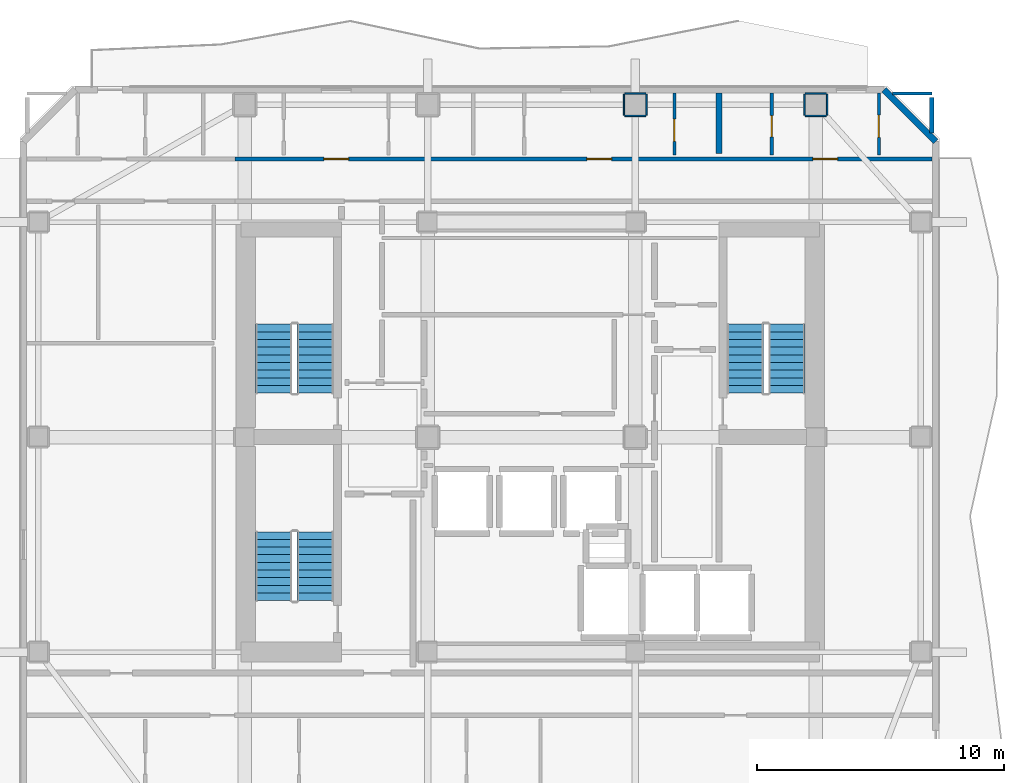
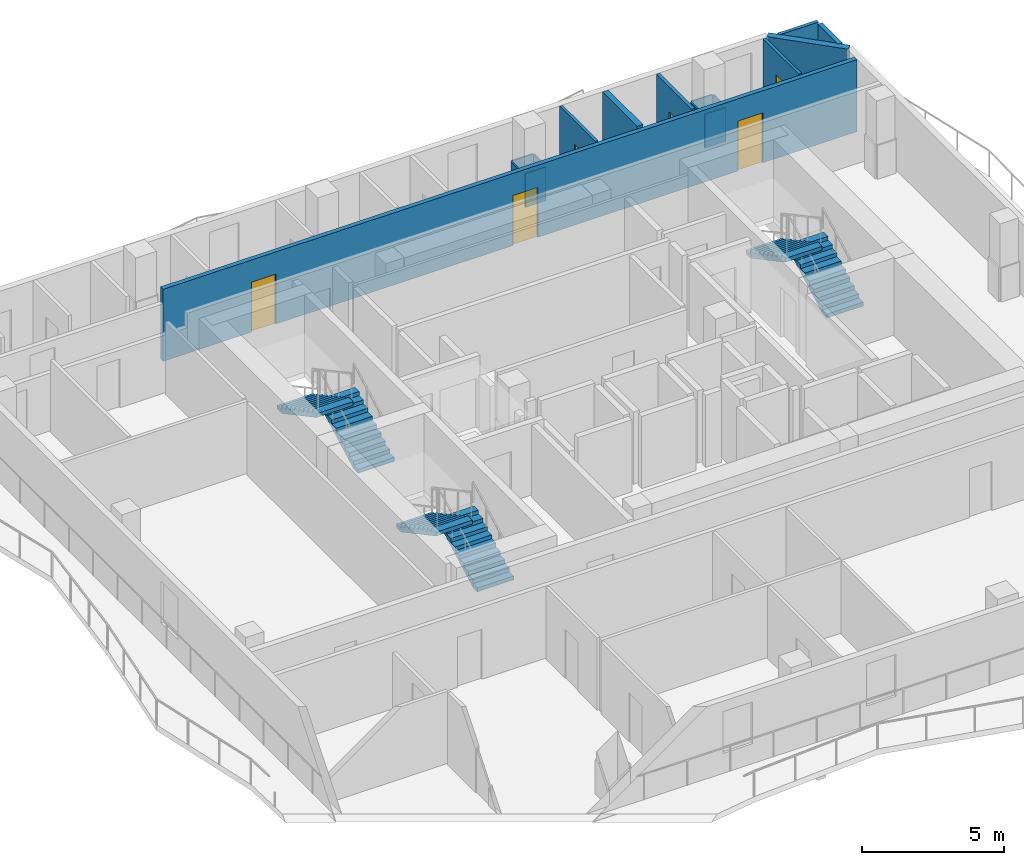
# One storey, part 6 of 10: 16 walls, 6 doors, 6 stair flights, 6 openings, 3 elements without a shape of their own.
"""IFC4 building model written with IfcOpenShell, lengths in metres."""

from ifc_helpers import new_model, si_unit, direction, frame, frame_2d, origin, place, context, subcontext, project, spatial, polyline, rectangle, outline, extrude, material, layer, layer_set, type_object, element, fill, aggregate, save


model = new_model("IFC4")

# Units and contexts
model_context = context("Model", 3, precision=1e-05, world=origin(), true_north=direction((0.0, 1.0)))
body_context = subcontext(model_context, "Body", "Model", "MODEL_VIEW")
ifc_project = project(units=[si_unit("LENGTHUNIT", "METRE"), si_unit("AREAUNIT", "SQUARE_METRE"), si_unit("VOLUMEUNIT", "CUBIC_METRE"), si_unit("PLANEANGLEUNIT", "RADIAN"), si_unit("MASSUNIT", "GRAM", prefix="KILO")], contexts=[model_context])

# Site, building, storey
site_placement = place(None, origin())
site = spatial("IfcSite", under=ifc_project, at=site_placement, CompositionType="ELEMENT")
building_placement = place(site_placement, origin())
building = spatial("IfcBuilding", under=site, at=building_placement, Name="Solanera Arch Residences", CompositionType="ELEMENT")
storey_placement = place(building_placement, frame((0.0, 0.0, 203.43994140625)))
storey = spatial("IfcBuildingStorey", under=building, at=storey_placement, Name="L59", CompositionType="ELEMENT", Elevation=203.43994140625)

# Walls
ifc_material_1 = material(Name="Fire-Rated Gypsum Stud Partition", Category="gypsum")
ifc_layer_1 = layer(ifc_material_1, 0.06005859375)
ifc_layer_set_1 = layer_set([ifc_layer_1], Name="Fire-Rated Gypsum Stud Partition")
wall_type_1 = type_object("IfcWallType", Name="Column Acoustic Furring Wall 60", PredefinedType="PARTITIONING", material=ifc_layer_set_1)
for number, where, z_axis, x_axis, name in (
    (1, (28.77490234375, 43.693115234375, 0.0), (0.0, 0.0, 1.0), (1.0, 0.0, 0.0), "L59 Column Furring 14S"),
    (2, (28.77490234375, 44.60693359375, 0.0), (0.0, 0.0, 1.0), (1.0, 0.0, 0.0), "L59 Column Furring 14N"),
):
    element("IfcWall", number, at=place(storey_placement, frame(where, z_axis=z_axis, x_axis=x_axis)), inside=storey, type_object=wall_type_1, Name=name, PredefinedType="PARTITIONING", context=body_context, shape_type="SweptSolid", body=[
        extrude(rectangle(XDim=0.85009765625, YDim=0.06005859375, at=frame_2d((0.425048828125, 0.0))), origin(), (0.0, 0.0, 1.0), 1.449951171875),
    ])
for number, where, z_axis, x_axis, name in (
    (3, (28.742919921875, 43.72509765625, 0.0), (0.0, 0.0, 1.0), (0.0, 1.0, 0.0), "L59 Column Furring 14W"),
    (4, (29.656982421875, 43.72509765625, 0.0), (0.0, 0.0, 1.0), (0.0, 1.0, 0.0), "L59 Column Furring 14E"),
):
    element("IfcWall", number, at=place(storey_placement, frame(where, z_axis=z_axis, x_axis=x_axis)), inside=storey, type_object=wall_type_1, Name=name, PredefinedType="PARTITIONING", context=body_context, shape_type="SweptSolid", body=[
        extrude(rectangle(XDim=0.849853515625, YDim=0.06005859375, at=frame_2d((0.4248046875, 0.0))), origin(), (0.0, 0.0, 1.0), 1.449951171875),
    ])
for number, where, z_axis, x_axis, name in (
    (5, (36.074951171875, 43.693115234375, 0.0), (0.0, 0.0, 1.0), (1.0, 0.0, 0.0), "L59 Column Furring 16S"),
    (6, (36.074951171875, 44.60693359375, 0.0), (0.0, 0.0, 1.0), (1.0, 0.0, 0.0), "L59 Column Furring 16N"),
):
    element("IfcWall", number, at=place(storey_placement, frame(where, z_axis=z_axis, x_axis=x_axis)), inside=storey, type_object=wall_type_1, Name=name, PredefinedType="PARTITIONING", context=body_context, shape_type="SweptSolid", body=[
        extrude(rectangle(XDim=0.85009765625, YDim=0.06005859375, at=frame_2d((0.425048828125, 0.0))), origin(), (0.0, 0.0, 1.0), 1.449951171875),
    ])
for number, where, z_axis, x_axis, name in (
    (7, (36.04296875, 43.72509765625, 0.0), (0.0, 0.0, 1.0), (0.0, 1.0, 0.0), "L59 Column Furring 16W"),
    (8, (36.95703125, 43.72509765625, 0.0), (0.0, 0.0, 1.0), (0.0, 1.0, 0.0), "L59 Column Furring 16E"),
):
    element("IfcWall", number, at=place(storey_placement, frame(where, z_axis=z_axis, x_axis=x_axis)), inside=storey, type_object=wall_type_1, Name=name, PredefinedType="PARTITIONING", context=body_context, shape_type="SweptSolid", body=[
        extrude(rectangle(XDim=0.849853515625, YDim=0.06005859375, at=frame_2d((0.4248046875, 0.0))), origin(), (0.0, 0.0, 1.0), 1.449951171875),
    ])

# Wall, openings, doors
ifc_material_2 = material(Name="Autoclaved Aerated Concrete Blockwork", Category="masonry")
ifc_layer_2 = layer(ifc_material_2, 0.179931640625)
ifc_layer_set_2 = layer_set([ifc_layer_2], Name="Autoclaved Aerated Concrete Blockwork")
wall_type_2 = type_object("IfcWallType", Name="Corridor Fire Partition 180", PredefinedType="PARTITIONING", material=ifc_layer_set_2)
wall_1_placement = place(storey_placement, frame((13.011962890625, 41.949951171875, 0.0), z_axis=(0.0, 0.0, 1.0), x_axis=(1.0, 0.0, 0.0)))
wall_1 = element("IfcWall", 9, at=wall_1_placement, inside=storey, type_object=wall_type_2, Name="L59 Interior Partition H12 3", PredefinedType="PARTITIONING", context=body_context, shape_type="SweptSolid", body=[
    extrude(rectangle(XDim=28.200927734375, YDim=0.179931640625, at=frame_2d((14.1005859375, 0.0))), origin(), (0.0, 0.0, 1.0), 3.10009765625),
])
opening_1_placement = place(wall_1_placement, frame((3.587890625, 0.0, 0.0)))
opening_1 = element("IfcOpeningElement", 10, at=opening_1_placement, cuts=wall_1, Name="Opening DI-01", PredefinedType="OPENING", context=body_context, shape_type="SweptSolid", body=[
    extrude(rectangle(XDim=1.0, YDim=2.14990234375, at=frame_2d((0.5, 1.074951171875))), frame((0.0, 0.10009765625, 0.0), z_axis=(0.0, -1.0, 0.0), x_axis=(1.0, 0.0, 0.0)), (0.0, 0.0, 1.0), 0.1999),
])
opening_2_placement = place(wall_1_placement, frame((14.22705078125, 0.0, 0.0)))
opening_2 = element("IfcOpeningElement", 11, at=opening_2_placement, cuts=wall_1, Name="Opening DI-01", PredefinedType="OPENING", context=body_context, shape_type="SweptSolid", body=[
    extrude(rectangle(XDim=1.0, YDim=2.14990234375, at=frame_2d((0.5, 1.074951171875))), frame((0.0, 0.10009765625, 0.0), z_axis=(0.0, -1.0, 0.0), x_axis=(1.0, 0.0, 0.0)), (0.0, 0.0, 1.0), 0.1999),
])
opening_3_placement = place(wall_1_placement, frame((23.3720703125, 0.0, 0.0)))
opening_3 = element("IfcOpeningElement", 12, at=opening_3_placement, cuts=wall_1, Name="Opening DI-01", PredefinedType="OPENING", context=body_context, shape_type="SweptSolid", body=[
    extrude(rectangle(XDim=1.0, YDim=2.14990234375, at=frame_2d((0.5, 1.074951171875))), frame((0.0, 0.10009765625, 0.0), z_axis=(0.0, -1.0, 0.0), x_axis=(1.0, 0.0, 0.0)), (0.0, 0.0, 1.0), 0.1999),
])
ifc_material_3 = material(Name="Fire-Rated Architectural Hardwood", Category="wood")
door_type_1 = type_object("IfcDoorType", Name="Unit Entrance Fire Door DI-01", OperationType="NOTDEFINED", PredefinedType="DOOR", material=ifc_material_3)
door_1_placement = place(opening_1_placement, origin())
door_1 = element("IfcDoor", 13, at=door_1_placement, inside=storey, type_object=door_type_1, Name="DR-L59-IN-025", OperationType="SINGLE_SWING_RIGHT", OverallHeight=2.14990234375, OverallWidth=1.0, PredefinedType="DOOR", context=body_context, shape_type="SweptSolid", body=[
    extrude(rectangle(XDim=1.0, YDim=2.14990234375, at=frame_2d((0.5, 1.074951171875))), frame((0.0, 0.02490234375, 0.0), z_axis=(0.0, -1.0, 0.0), x_axis=(1.0, 0.0, 0.0)), (0.0, 0.0, 1.0), 0.050048828125),
])
fill(opening_1, door_1)
door_2_placement = place(opening_2_placement, origin())
door_2 = element("IfcDoor", 14, at=door_2_placement, inside=storey, type_object=door_type_1, Name="DR-L59-IN-028", OperationType="SINGLE_SWING_LEFT", OverallHeight=2.14990234375, OverallWidth=1.0, PredefinedType="DOOR", context=body_context, shape_type="SweptSolid", body=[
    extrude(rectangle(XDim=1.0, YDim=2.14990234375, at=frame_2d((0.5, 1.074951171875))), frame((0.0, 0.02490234375, 0.0), z_axis=(0.0, -1.0, 0.0), x_axis=(1.0, 0.0, 0.0)), (0.0, 0.0, 1.0), 0.050048828125),
])
fill(opening_2, door_2)
door_3_placement = place(opening_3_placement, origin())
door_3 = element("IfcDoor", 15, at=door_3_placement, inside=storey, type_object=door_type_1, Name="DR-L59-IN-031", OperationType="SINGLE_SWING_RIGHT", OverallHeight=2.14990234375, OverallWidth=1.0, PredefinedType="DOOR", context=body_context, shape_type="SweptSolid", body=[
    extrude(rectangle(XDim=1.0, YDim=2.14990234375, at=frame_2d((0.5, 1.074951171875))), frame((0.0, 0.02490234375, 0.0), z_axis=(0.0, -1.0, 0.0), x_axis=(1.0, 0.0, 0.0)), (0.0, 0.0, 1.0), 0.050048828125),
])
fill(opening_3, door_3)

# Walls
wall_2_placement = place(storey_placement, frame((41.199951171875, 43.010986328125, 0.0), z_axis=(0.0, 0.0, 1.0), x_axis=(0.0, 1.0, 0.0)))
element("IfcWall", 16, at=wall_2_placement, inside=storey, type_object=wall_type_2, Name="L59 Interior Partition V11", PredefinedType="PARTITIONING", context=body_context, shape_type="SweptSolid", body=[
    extrude(rectangle(XDim=1.4208984375, YDim=0.179931640625, at=frame_2d((0.71044921875, 0.0))), origin(), (0.0, 0.0, 1.0), 3.10009765625),
])
ifc_material_4 = material(Name="Precast Concrete C35/45", Category="concrete")
ifc_layer_3 = layer(ifc_material_4, 0.260009765625)
ifc_layer_set_3 = layer_set([ifc_layer_3], Name="Precast Concrete C35/45")
wall_type_3 = type_object("IfcWallType", Name="Exterior Wall Precast Masonry-Frame 260", PredefinedType="STANDARD", material=ifc_layer_set_3)
wall_3_placement = place(storey_placement, frame((39.2548828125, 44.7548828125, 0.0), z_axis=(0.0, 0.0, 1.0), x_axis=(0.707147883682, -0.707065676302, 0.0)))
element("IfcWall", 17, at=wall_3_placement, inside=storey, type_object=wall_type_3, Name="L59 Tower Exterior Precast Masonry-Frame Wall CH3", PredefinedType="STANDARD", context=body_context, shape_type="SweptSolid", body=[
    extrude(rectangle(XDim=2.9697265625, YDim=0.260009765625, at=frame_2d((1.48486328125, 0.0))), origin(), (0.0, 0.0, 1.0), 3.10009765625),
])
ifc_material_5 = material(Name="Autoclaved Aerated Concrete Blockwork", Category="masonry")
ifc_layer_4 = layer(ifc_material_5, 0.239990234375)
ifc_layer_set_4 = layer_set([ifc_layer_4], Name="Autoclaved Aerated Concrete Blockwork")
wall_type_4 = type_object("IfcWallType", Name="Shaft Wall Fire-Rated 240", PredefinedType="PARTITIONING", material=ifc_layer_set_4)
wall_4_placement = place(storey_placement, frame((32.580078125, 42.16796875, 0.0), z_axis=(0.0, 0.0, 1.0), x_axis=(0.0, 1.0, 0.0)))
element("IfcWall", 18, at=wall_4_placement, inside=storey, type_object=wall_type_4, Name="L59 Interior Partition V6", PredefinedType="PARTITIONING", context=body_context, shape_type="SweptSolid", body=[
    extrude(rectangle(XDim=2.445068359375, YDim=0.239990234375, at=frame_2d((1.22265625, 0.0))), origin(), (0.0, 0.0, 1.0), 3.10009765625),
])

# Wall, opening, door
ifc_material_6 = material(Name="Fire-Rated Gypsum Stud Partition", Category="gypsum")
ifc_layer_5 = layer(ifc_material_6, 0.1201171875)
ifc_layer_set_5 = layer_set([ifc_layer_5], Name="Fire-Rated Gypsum Stud Partition")
wall_type_5 = type_object("IfcWallType", Name="Unit Drywall Partition 120", PredefinedType="PARTITIONING", material=ifc_layer_set_5)
wall_5_placement = place(storey_placement, frame((30.780029296875, 42.10791015625, 0.0), z_axis=(0.0, 0.0, 1.0), x_axis=(0.0, 1.0, 0.0)))
wall_5 = element("IfcWall", 19, at=wall_5_placement, inside=storey, type_object=wall_type_5, Name="L59 Interior Partition V26", PredefinedType="PARTITIONING", context=body_context, shape_type="SweptSolid", body=[
    extrude(rectangle(XDim=2.505126953125, YDim=0.1201171875, at=frame_2d((1.25244140625, 0.0))), origin(), (0.0, 0.0, 1.0), 3.10009765625),
])
opening_4_placement = place(wall_5_placement, frame((0.556884765625, 0.0, 0.0)))
opening_4 = element("IfcOpeningElement", 20, at=opening_4_placement, cuts=wall_5, Name="Opening DI-02", PredefinedType="OPENING", context=body_context, shape_type="SweptSolid", body=[
    extrude(rectangle(XDim=0.89990234375, YDim=2.10009765625, at=frame_2d((0.449951171875, 1.050048828125))), frame((0.0, 0.070068359375, 0.0), z_axis=(0.0, -1.0, 0.0), x_axis=(1.0, 0.0, 0.0)), (0.0, 0.0, 1.0), 0.1401),
])
ifc_material_7 = material(Name="Fire-Rated Architectural Hardwood", Category="wood")
door_type_2 = type_object("IfcDoorType", Name="Suite Room Swing Door DI-02", OperationType="NOTDEFINED", PredefinedType="DOOR", material=ifc_material_7)
door_4_placement = place(opening_4_placement, origin())
door_4 = element("IfcDoor", 21, at=door_4_placement, inside=storey, type_object=door_type_2, Name="DR-L59-IN-030", OperationType="SINGLE_SWING_LEFT", OverallHeight=2.10009765625, OverallWidth=0.89990234375, PredefinedType="DOOR", context=body_context, shape_type="SweptSolid", body=[
    extrude(rectangle(XDim=0.89990234375, YDim=2.10009765625, at=frame_2d((0.449951171875, 1.050048828125))), frame((0.0, 0.02490234375, 0.0), z_axis=(0.0, -1.0, 0.0), x_axis=(1.0, 0.0, 0.0)), (0.0, 0.0, 1.0), 0.050048828125),
])
fill(opening_4, door_4)

wall_6_placement = place(storey_placement, frame((39.050048828125, 42.10791015625, 0.0), z_axis=(0.0, 0.0, 1.0), x_axis=(0.0, 1.0, 0.0)))
wall_6 = element("IfcWall", 22, at=wall_6_placement, inside=storey, type_object=wall_type_5, Name="L59 Interior Partition V27", PredefinedType="PARTITIONING", context=body_context, shape_type="SweptSolid", body=[
    extrude(rectangle(XDim=2.505126953125, YDim=0.1201171875, at=frame_2d((1.25244140625, 0.0))), origin(), (0.0, 0.0, 1.0), 3.10009765625),
])
opening_5_placement = place(wall_6_placement, frame((0.717041015625, 0.0, 0.0)))
opening_5 = element("IfcOpeningElement", 23, at=opening_5_placement, cuts=wall_6, Name="Opening DI-02", PredefinedType="OPENING", context=body_context, shape_type="SweptSolid", body=[
    extrude(rectangle(XDim=0.89990234375, YDim=2.10009765625, at=frame_2d((0.449951171875, 1.050048828125))), frame((0.0, 0.070068359375, 0.0), z_axis=(0.0, -1.0, 0.0), x_axis=(1.0, 0.0, 0.0)), (0.0, 0.0, 1.0), 0.1401),
])
door_5_placement = place(opening_5_placement, origin())
door_5 = element("IfcDoor", 24, at=door_5_placement, inside=storey, type_object=door_type_2, Name="DR-L59-IN-033", OperationType="SINGLE_SWING_RIGHT", OverallHeight=2.10009765625, OverallWidth=0.89990234375, PredefinedType="DOOR", context=body_context, shape_type="SweptSolid", body=[
    extrude(rectangle(XDim=0.89990234375, YDim=2.10009765625, at=frame_2d((0.449951171875, 1.050048828125))), frame((0.0, 0.02490234375, 0.0), z_axis=(0.0, -1.0, 0.0), x_axis=(1.0, 0.0, 0.0)), (0.0, 0.0, 1.0), 0.050048828125),
])
fill(opening_5, door_5)

# Wall
ifc_material_8 = material(Name="Autoclaved Aerated Concrete Blockwork", Category="masonry")
ifc_layer_6 = layer(ifc_material_8, 0.139892578125)
ifc_layer_set_6 = layer_set([ifc_layer_6], Name="Autoclaved Aerated Concrete Blockwork")
wall_type_6 = type_object("IfcWallType", Name="Wet-Room Partition 140", PredefinedType="PARTITIONING", material=ifc_layer_set_6)
wall_7_placement = place(storey_placement, frame((39.611083984375, 44.60009765625, 0.0), z_axis=(0.0, 0.0, 1.0), x_axis=(1.0, 0.0, 0.0)))
element("IfcWall", 25, at=wall_7_placement, inside=storey, type_object=wall_type_6, Name="L59 Interior Partition H16 2", PredefinedType="PARTITIONING", context=body_context, shape_type="SweptSolid", body=[
    extrude(rectangle(XDim=1.5888671875, YDim=0.139892578125, at=frame_2d((0.79443359375, 0.0))), origin(), (0.0, 0.0, 1.0), 3.10009765625),
])

# Wall, opening, door
wall_8_placement = place(storey_placement, frame((34.718017578125, 42.117919921875, 0.0), z_axis=(0.0, 0.0, 1.0), x_axis=(0.0, 1.0, 0.0)))
wall_8 = element("IfcWall", 26, at=wall_8_placement, inside=storey, type_object=wall_type_6, Name="L59 Interior Partition V21", PredefinedType="PARTITIONING", context=body_context, shape_type="SweptSolid", body=[
    extrude(rectangle(XDim=2.4951171875, YDim=0.139892578125, at=frame_2d((1.24755859375, 0.0))), origin(), (0.0, 0.0, 1.0), 3.10009765625),
])
opening_6_placement = place(wall_8_placement, frame((0.72705078125, 0.0, 0.0)))
opening_6 = element("IfcOpeningElement", 27, at=opening_6_placement, cuts=wall_8, Name="Opening DI-05", PredefinedType="OPENING", context=body_context, shape_type="SweptSolid", body=[
    extrude(rectangle(XDim=0.860107421875, YDim=2.02001953125, at=frame_2d((0.43017578125, 1.010009765625))), frame((0.0, 0.079833984375, 0.0), z_axis=(0.0, -1.0, 0.0), x_axis=(1.0, 0.0, 0.0)), (0.0, 0.0, 1.0), 0.1599),
])
ifc_material_9 = material(Name="Fire-Rated Architectural Hardwood", Category="wood")
door_type_3 = type_object("IfcDoorType", Name="Bathroom Swing Door DI-05", OperationType="NOTDEFINED", PredefinedType="DOOR", material=ifc_material_9)
door_6_placement = place(opening_6_placement, origin())
door_6 = element("IfcDoor", 28, at=door_6_placement, inside=storey, type_object=door_type_3, Name="DR-L59-IN-032", OperationType="SINGLE_SWING_LEFT", OverallHeight=2.02001953125, OverallWidth=0.860107421875, PredefinedType="DOOR", context=body_context, shape_type="SweptSolid", body=[
    extrude(rectangle(XDim=0.860107421875, YDim=2.02001953125, at=frame_2d((0.43017578125, 1.010009765625))), frame((0.0, 0.02490234375, 0.0), z_axis=(0.0, -1.0, 0.0), x_axis=(1.0, 0.0, 0.0)), (0.0, 0.0, 1.0), 0.050048828125),
])
fill(opening_6, door_6)

# Stair, stair flights
ifc_material_10 = material(Name="Concrete C40/50 (f'c = 45 MPa)", Category="concrete")
stair_type = type_object("IfcStairType", Name="Tower Dogleg Exit Stair 1480", PredefinedType="HALF_TURN_STAIR", material=ifc_material_10)
stair_1_placement = place(storey_placement, origin())
stair_1 = element("IfcStair", 29, at=stair_1_placement, inside=storey, type_object=stair_type, Name="L59 Tower Core Exit Stair 1", PredefinedType="HALF_TURN_STAIR")
ifc_material_11 = material(Name="Concrete C40/50 (f'c = 45 MPa)", Category="concrete")
stair_flight_type = type_object("IfcStairFlightType", Name="Tower Precast Stair Flight 1480", PredefinedType="STRAIGHT", material=ifc_material_11)
stair_flight_1_placement = place(storey_placement, frame((16.260009765625, 32.47998046875, 0.0), z_axis=(0.0, 0.0, 1.0), x_axis=(0.0, 1.0, 0.0)))
stair_flight_1 = element("IfcStairFlight", 30, at=stair_flight_1_placement, type_object=stair_flight_type, Name="ST-T1 flight 1", NumberOfRisers=10, NumberOfTreads=9, PredefinedType="STRAIGHT", RiserHeight=0.166, TreadLength=0.31, context=body_context, shape_type="SweptSolid", body=[
    extrude(outline(polyline([(0.0, 0.0), (0.0, 0.166015625), (0.31005859375, 0.166015625), (0.31005859375, 0.33203125), (0.6201171875, 0.33203125), (0.6201171875, 0.498046875), (0.929931640625, 0.498046875), (0.929931640625, 0.6640625), (1.239990234375, 0.6640625), (1.239990234375, 0.830078125), (1.550048828125, 0.830078125), (1.550048828125, 0.99609375), (1.860107421875, 0.99609375), (1.860107421875, 1.162109375), (2.169921875, 1.162109375), (2.169921875, 1.327880859375), (2.47998046875, 1.327880859375), (2.47998046875, 1.493896484375), (2.7900390625, 1.493896484375), (2.7900390625, 1.659912109375), (2.7900390625, 1.323974609375), (0.317626953125, 0.0), (0.0, 0.0)])), frame((0.0, 0.739990234375, 0.0), z_axis=(0.0, -1.0, 0.0), x_axis=(1.0, 0.0, 0.0)), (0.0, 0.0, 1.0), 1.47998046875),
])
stair_flight_2_placement = place(storey_placement, frame((14.580078125, 35.27001953125, 1.66015625), z_axis=(0.0, 0.0, 1.0), x_axis=(0.0, -1.0, 0.0)))
stair_flight_2 = element("IfcStairFlight", 31, at=stair_flight_2_placement, type_object=stair_flight_type, Name="ST-T1 flight 2", NumberOfRisers=10, NumberOfTreads=9, PredefinedType="STRAIGHT", RiserHeight=0.166, TreadLength=0.31, context=body_context, shape_type="SweptSolid", body=[
    extrude(outline(polyline([(0.0, 0.0), (0.0, 0.166015625), (0.31005859375, 0.166015625), (0.31005859375, 0.33203125), (0.6201171875, 0.33203125), (0.6201171875, 0.498046875), (0.929931640625, 0.498046875), (0.929931640625, 0.6640625), (1.239990234375, 0.6640625), (1.239990234375, 0.830078125), (1.550048828125, 0.830078125), (1.550048828125, 0.99609375), (1.860107421875, 0.99609375), (1.860107421875, 1.162109375), (2.169921875, 1.162109375), (2.169921875, 1.327880859375), (2.47998046875, 1.327880859375), (2.47998046875, 1.493896484375), (2.7900390625, 1.493896484375), (2.7900390625, 1.659912109375), (2.7900390625, 1.323974609375), (0.317626953125, 0.0), (0.0, 0.0)])), frame((0.0, 0.739990234375, 0.0), z_axis=(0.0, -1.0, 0.0), x_axis=(1.0, 0.0, 0.0)), (0.0, 0.0, 1.0), 1.47998046875),
])
aggregate(stair_1, [stair_flight_1, stair_flight_2])

stair_2_placement = place(storey_placement, origin())
stair_2 = element("IfcStair", 32, at=stair_2_placement, inside=storey, type_object=stair_type, Name="L59 Tower Core Exit Stair 2", PredefinedType="HALF_TURN_STAIR")
stair_flight_3_placement = place(storey_placement, frame((35.320068359375, 32.47998046875, 0.0), z_axis=(0.0, 0.0, 1.0), x_axis=(0.0, 1.0, 0.0)))
stair_flight_3 = element("IfcStairFlight", 33, at=stair_flight_3_placement, type_object=stair_flight_type, Name="ST-T2 flight 1", NumberOfRisers=10, NumberOfTreads=9, PredefinedType="STRAIGHT", RiserHeight=0.166, TreadLength=0.31, context=body_context, shape_type="SweptSolid", body=[
    extrude(outline(polyline([(0.0, 0.0), (0.0, 0.166015625), (0.31005859375, 0.166015625), (0.31005859375, 0.33203125), (0.6201171875, 0.33203125), (0.6201171875, 0.498046875), (0.929931640625, 0.498046875), (0.929931640625, 0.6640625), (1.239990234375, 0.6640625), (1.239990234375, 0.830078125), (1.550048828125, 0.830078125), (1.550048828125, 0.99609375), (1.860107421875, 0.99609375), (1.860107421875, 1.162109375), (2.169921875, 1.162109375), (2.169921875, 1.327880859375), (2.47998046875, 1.327880859375), (2.47998046875, 1.493896484375), (2.7900390625, 1.493896484375), (2.7900390625, 1.659912109375), (2.7900390625, 1.323974609375), (0.317626953125, 0.0), (0.0, 0.0)])), frame((0.0, 0.739990234375, 0.0), z_axis=(0.0, -1.0, 0.0), x_axis=(1.0, 0.0, 0.0)), (0.0, 0.0, 1.0), 1.47998046875),
])
stair_flight_4_placement = place(storey_placement, frame((33.639892578125, 35.27001953125, 1.66015625), z_axis=(0.0, 0.0, 1.0), x_axis=(0.0, -1.0, 0.0)))
stair_flight_4 = element("IfcStairFlight", 34, at=stair_flight_4_placement, type_object=stair_flight_type, Name="ST-T2 flight 2", NumberOfRisers=10, NumberOfTreads=9, PredefinedType="STRAIGHT", RiserHeight=0.166, TreadLength=0.31, context=body_context, shape_type="SweptSolid", body=[
    extrude(outline(polyline([(0.0, 0.0), (0.0, 0.166015625), (0.31005859375, 0.166015625), (0.31005859375, 0.33203125), (0.6201171875, 0.33203125), (0.6201171875, 0.498046875), (0.929931640625, 0.498046875), (0.929931640625, 0.6640625), (1.239990234375, 0.6640625), (1.239990234375, 0.830078125), (1.550048828125, 0.830078125), (1.550048828125, 0.99609375), (1.860107421875, 0.99609375), (1.860107421875, 1.162109375), (2.169921875, 1.162109375), (2.169921875, 1.327880859375), (2.47998046875, 1.327880859375), (2.47998046875, 1.493896484375), (2.7900390625, 1.493896484375), (2.7900390625, 1.659912109375), (2.7900390625, 1.323974609375), (0.317626953125, 0.0), (0.0, 0.0)])), frame((0.0, 0.739990234375, 0.0), z_axis=(0.0, -1.0, 0.0), x_axis=(1.0, 0.0, 0.0)), (0.0, 0.0, 1.0), 1.47998046875),
])
aggregate(stair_2, [stair_flight_3, stair_flight_4])

stair_3_placement = place(storey_placement, origin())
stair_3 = element("IfcStair", 35, at=stair_3_placement, inside=storey, type_object=stair_type, Name="L59 Tower Core Exit Stair 3", PredefinedType="HALF_TURN_STAIR")
stair_flight_5_placement = place(storey_placement, frame((16.260009765625, 24.080078125, 0.0), z_axis=(0.0, 0.0, 1.0), x_axis=(0.0, 1.0, 0.0)))
stair_flight_5 = element("IfcStairFlight", 36, at=stair_flight_5_placement, type_object=stair_flight_type, Name="ST-T3 flight 1", NumberOfRisers=10, NumberOfTreads=9, PredefinedType="STRAIGHT", RiserHeight=0.166, TreadLength=0.31, context=body_context, shape_type="SweptSolid", body=[
    extrude(outline(polyline([(0.0, 0.0), (0.0, 0.166015625), (0.31005859375, 0.166015625), (0.31005859375, 0.33203125), (0.6201171875, 0.33203125), (0.6201171875, 0.498046875), (0.929931640625, 0.498046875), (0.929931640625, 0.6640625), (1.239990234375, 0.6640625), (1.239990234375, 0.830078125), (1.550048828125, 0.830078125), (1.550048828125, 0.99609375), (1.860107421875, 0.99609375), (1.860107421875, 1.162109375), (2.169921875, 1.162109375), (2.169921875, 1.327880859375), (2.47998046875, 1.327880859375), (2.47998046875, 1.493896484375), (2.7900390625, 1.493896484375), (2.7900390625, 1.659912109375), (2.7900390625, 1.323974609375), (0.317626953125, 0.0), (0.0, 0.0)])), frame((0.0, 0.739990234375, 0.0), z_axis=(0.0, -1.0, 0.0), x_axis=(1.0, 0.0, 0.0)), (0.0, 0.0, 1.0), 1.47998046875),
])
stair_flight_6_placement = place(storey_placement, frame((14.580078125, 26.8701171875, 1.66015625), z_axis=(0.0, 0.0, 1.0), x_axis=(0.0, -1.0, 0.0)))
stair_flight_6 = element("IfcStairFlight", 37, at=stair_flight_6_placement, type_object=stair_flight_type, Name="ST-T3 flight 2", NumberOfRisers=10, NumberOfTreads=9, PredefinedType="STRAIGHT", RiserHeight=0.166, TreadLength=0.31, context=body_context, shape_type="SweptSolid", body=[
    extrude(outline(polyline([(0.0, 0.0), (0.0, 0.166015625), (0.31005859375, 0.166015625), (0.31005859375, 0.33203125), (0.6201171875, 0.33203125), (0.6201171875, 0.498046875), (0.929931640625, 0.498046875), (0.929931640625, 0.6640625), (1.239990234375, 0.6640625), (1.239990234375, 0.830078125), (1.550048828125, 0.830078125), (1.550048828125, 0.99609375), (1.860107421875, 0.99609375), (1.860107421875, 1.162109375), (2.169921875, 1.162109375), (2.169921875, 1.327880859375), (2.47998046875, 1.327880859375), (2.47998046875, 1.493896484375), (2.7900390625, 1.493896484375), (2.7900390625, 1.659912109375), (2.7900390625, 1.323974609375), (0.317626953125, 0.0), (0.0, 0.0)])), frame((0.0, 0.739990234375, 0.0), z_axis=(0.0, -1.0, 0.0), x_axis=(1.0, 0.0, 0.0)), (0.0, 0.0, 1.0), 1.47998046875),
])
aggregate(stair_3, [stair_flight_5, stair_flight_6])

save(model, "model.ifc")
